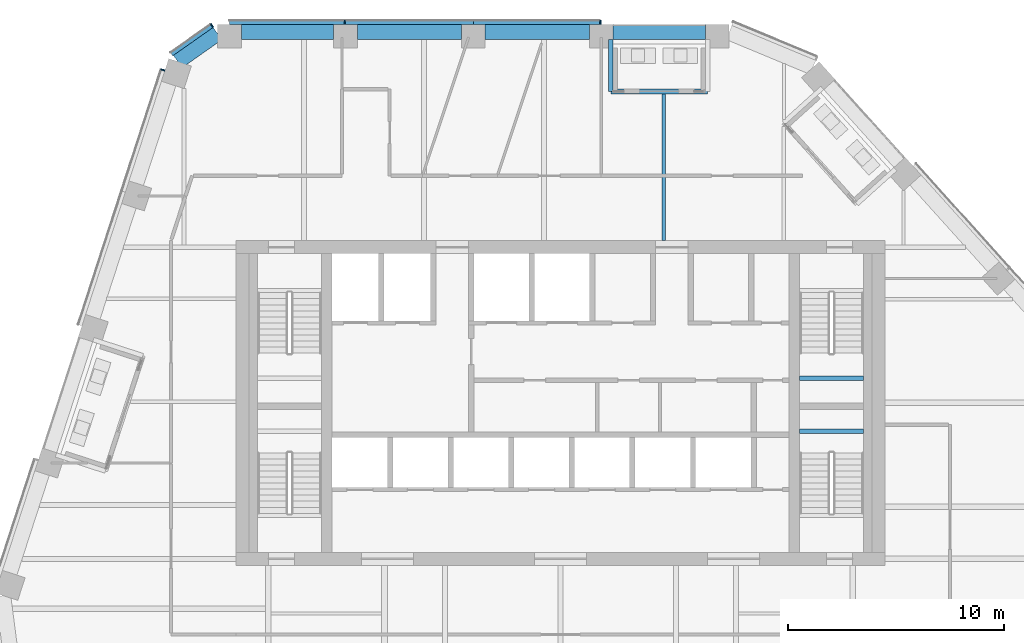
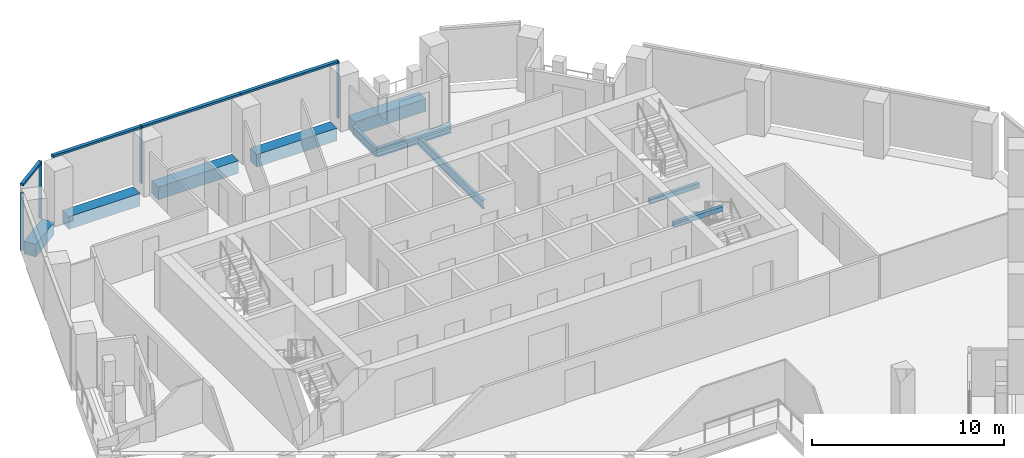
# One storey, part 7 of 24: 10 beams, 8 members, 3 elements without a shape of their own.
"""IFC4 building model written with IfcOpenShell, lengths in metres."""

from ifc_helpers import new_model, si_unit, direction, frame, origin, origin_2d, place, context, subcontext, project, spatial, rectangle, i_section, extrude, material, layer, layer_set, material_profile, profile_set, type_object, element, aggregate, save


model = new_model("IFC4")

# Units and contexts
model_context = context("Model", 3, precision=1e-05, world=origin(), true_north=direction((0.0, 1.0)))
body_context = subcontext(model_context, "Body", "Model", "MODEL_VIEW")
ifc_project = project(units=[si_unit("LENGTHUNIT", "METRE"), si_unit("AREAUNIT", "SQUARE_METRE"), si_unit("VOLUMEUNIT", "CUBIC_METRE"), si_unit("PLANEANGLEUNIT", "RADIAN"), si_unit("MASSUNIT", "GRAM", prefix="KILO")], contexts=[model_context])

# Site, building, storey
site_placement = place(None, origin())
site = spatial("IfcSite", under=ifc_project, at=site_placement, CompositionType="ELEMENT")
building_placement = place(site_placement, origin())
building = spatial("IfcBuilding", under=site, at=building_placement, Name="Isthmus Gate Tower", CompositionType="ELEMENT")
storey_placement = place(building_placement, frame((0.0, 0.0, 219.949951171875)))
storey = spatial("IfcBuildingStorey", under=building, at=storey_placement, Name="L55", CompositionType="ELEMENT", Elevation=219.949951171875)

# Curtain wall, members
ifc_material_1 = material(Name="Aluminium, pale champagne anodised", Category="aluminium")
ifc_layer = layer(ifc_material_1, 0.199951171875)
ifc_layer_set = layer_set([ifc_layer], Name="CW-1 UNITISED CURTAIN WALL 200 DEEP")
curtain_wall_type = type_object("IfcCurtainWallType", Name="CW-1 UNITISED CURTAIN WALL 200 DEEP", PredefinedType="NOTDEFINED", material=ifc_layer_set)
curtain_wall_1_placement = place(storey_placement, origin())
curtain_wall_1 = element("IfcCurtainWall", 1, at=curtain_wall_1_placement, inside=storey, type_object=curtain_wall_type, Name="CW-1 N L55", PredefinedType="NOTDEFINED")
ifc_material_2 = material(Name="Aluminium, pale champagne anodised", Category="aluminium")
ifc_material_profile_1 = material_profile(ifc_material_2, rectangle(XDim=0.06005859375, YDim=0.199951171875, at=origin_2d()), Name="60x200")
ifc_profile_set_1 = profile_set([ifc_material_profile_1], Name="Aluminium, pale champagne anodised")
member_type_1 = type_object("IfcMemberType", Name="CW-1 MULLION 60 X 200", PredefinedType="MULLION", material=ifc_profile_set_1)
member_1_placement = place(storey_placement, frame((1.8505859375, 25.10009765625, 0.0), z_axis=(0.0, 0.0, 1.0), x_axis=(-1.0, 0.0, 0.0)))
member_1 = element("IfcMember", 2, at=member_1_placement, type_object=member_type_1, Name="CW-1 mullion", PredefinedType="MULLION", context=body_context, shape_type="SweptSolid", body=[
    extrude(rectangle(XDim=0.06005859375, YDim=0.199951171875, at=origin_2d()), origin(), (0.0, 0.0, 1.0), 3.650146484375),
])
member_2_placement = place(storey_placement, frame((-9.970703125, 25.10009765625, 0.0), z_axis=(0.0, 0.0, 1.0), x_axis=(-1.0, 0.0, 0.0)))
member_2 = element("IfcMember", 3, at=member_2_placement, type_object=member_type_1, Name="CW-1 mullion", PredefinedType="MULLION", context=body_context, shape_type="SweptSolid", body=[
    extrude(rectangle(XDim=0.06005859375, YDim=0.199951171875, at=origin_2d()), origin(), (0.0, 0.0, 1.0), 3.650146484375),
])

# Curtain wall, member
curtain_wall_2_placement = place(storey_placement, origin())
curtain_wall_2 = element("IfcCurtainWall", 4, at=curtain_wall_2_placement, inside=storey, type_object=curtain_wall_type, Name="CW-1 N-NW L55", PredefinedType="NOTDEFINED")
member_3_placement = place(storey_placement, frame((-16.10595703125, 24.943115234375, 0.0), z_axis=(0.0, 0.0, 1.0), x_axis=(-0.81785959165, -0.57541783805, 0.0)))
member_3 = element("IfcMember", 5, at=member_3_placement, type_object=member_type_1, Name="CW-1 mullion", PredefinedType="MULLION", context=body_context, shape_type="SweptSolid", body=[
    extrude(rectangle(XDim=0.06005859375, YDim=0.199951171875, at=origin_2d()), origin(), (0.0, 0.0, 1.0), 3.650146484375),
])

curtain_wall_3_placement = place(storey_placement, origin())
curtain_wall_3 = element("IfcCurtainWall", 6, at=curtain_wall_3_placement, inside=storey, type_object=curtain_wall_type, Name="CW-1 NW L55", PredefinedType="NOTDEFINED")
member_4_placement = place(storey_placement, frame((-18.37841796875, 22.894287109375, 0.0), z_axis=(0.0, 0.0, 1.0), x_axis=(-0.309016994375, -0.951056516295, 0.0)))
member_4 = element("IfcMember", 7, at=member_4_placement, type_object=member_type_1, Name="CW-1 mullion", PredefinedType="MULLION", context=body_context, shape_type="SweptSolid", body=[
    extrude(rectangle(XDim=0.06005859375, YDim=0.199951171875, at=origin_2d()), origin(), (0.0, 0.0, 1.0), 3.650146484375),
])
aggregate(curtain_wall_3, [member_4])

# Member
ifc_material_3 = material(Name="Aluminium, pale champagne anodised", Category="aluminium")
ifc_material_profile_2 = material_profile(ifc_material_3, rectangle(XDim=0.199951171875, YDim=0.1298828125, at=origin_2d()), Name="200x130")
ifc_profile_set_2 = profile_set([ifc_material_profile_2], Name="Aluminium, pale champagne anodised")
member_type_2 = type_object("IfcMemberType", Name="CW-1 TRANSOM 200 X 130", PredefinedType="USERDEFINED", material=ifc_profile_set_2)
member_5_placement = place(storey_placement, frame((1.820556640625, 25.10009765625, 3.5849609375), z_axis=(-1.0, 0.0, 0.0), x_axis=(0.0, -1.0, 0.0)))
member_5 = element("IfcMember", 8, at=member_5_placement, type_object=member_type_2, Name="CW-1 transom", ObjectType="TRANSOM", PredefinedType="USERDEFINED", context=body_context, shape_type="SweptSolid", body=[
    extrude(rectangle(XDim=0.199951171875, YDim=0.1298828125, at=origin_2d()), origin(), (0.0, 0.0, 1.0), 5.8505859375),
])

member_6_placement = place(storey_placement, frame((-4.030029296875, 25.10009765625, 3.5849609375), z_axis=(-1.0, 0.0, 0.0), x_axis=(0.0, -1.0, 0.0)))
member_6 = element("IfcMember", 9, at=member_6_placement, type_object=member_type_2, Name="CW-1 transom", ObjectType="TRANSOM", PredefinedType="USERDEFINED", context=body_context, shape_type="SweptSolid", body=[
    extrude(rectangle(XDim=0.199951171875, YDim=0.1298828125, at=origin_2d()), origin(), (0.0, 0.0, 1.0), 5.91064453125),
])

member_7_placement = place(storey_placement, frame((-10.000732421875, 25.10009765625, 3.5849609375), z_axis=(-1.0, 0.0, 0.0), x_axis=(0.0, -1.0, 0.0)))
member_7 = element("IfcMember", 10, at=member_7_placement, type_object=member_type_2, Name="CW-1 transom", ObjectType="TRANSOM", PredefinedType="USERDEFINED", context=body_context, shape_type="SweptSolid", body=[
    extrude(rectangle(XDim=0.199951171875, YDim=0.1298828125, at=origin_2d()), origin(), (0.0, 0.0, 1.0), 5.300537109375),
])

aggregate(curtain_wall_1, [member_1, member_5, member_6, member_2, member_7])

member_8_placement = place(storey_placement, frame((-16.130615234375, 24.92578125, 3.5849609375), z_axis=(-0.817868595604, -0.575405040233, 0.0), x_axis=(0.575405040233, -0.817868595604, 0.0)))
member_8 = element("IfcMember", 11, at=member_8_placement, type_object=member_type_2, Name="CW-1 transom", ObjectType="TRANSOM", PredefinedType="USERDEFINED", context=body_context, shape_type="SweptSolid", body=[
    extrude(rectangle(XDim=0.199951171875, YDim=0.1298828125, at=origin_2d()), origin(), (0.0, 0.0, 1.0), 2.258544921875),
])

aggregate(curtain_wall_2, [member_3, member_8])

# Beams
ifc_material_4 = material(Name="Concrete f'c 50 MPa", Category="concrete")
ifc_material_profile_3 = material_profile(ifc_material_4, rectangle(XDim=0.699951171875, YDim=0.800048828125, at=origin_2d()), Name="RC 700X800")
ifc_profile_set_3 = profile_set([ifc_material_profile_3], Name="Concrete f'c 50 MPa")
beam_type_1 = type_object("IfcBeamType", Name="RC SPANDREL 700 X 800", PredefinedType="SPANDREL", material=ifc_profile_set_3)
beam_1_placement = place(storey_placement, frame((-17.68798828125, 23.27978515625, -0.39990234375), z_axis=(0.817855686701, 0.575423388237, 0.0), x_axis=(-0.575423388237, 0.817855686701, 0.0)))
element("IfcBeam", 12, at=beam_1_placement, inside=storey, type_object=beam_type_1, Name="str-spandrel-L55-25", PredefinedType="SPANDREL", context=body_context, shape_type="SweptSolid", body=[
    extrude(rectangle(XDim=0.699951171875, YDim=0.800048828125, at=origin_2d()), origin(), (0.0, 0.0, 1.0), 2.24560546875),
])
beam_2_placement = place(storey_placement, frame((-14.751220703125, 24.64990234375, -0.39990234375), z_axis=(1.0, 0.0, 0.0), x_axis=(0.0, 1.0, 0.0)))
element("IfcBeam", 13, at=beam_2_placement, inside=storey, type_object=beam_type_1, Name="str-spandrel-L55-26", PredefinedType="SPANDREL", context=body_context, shape_type="SweptSolid", body=[
    extrude(rectangle(XDim=0.699951171875, YDim=0.800048828125, at=origin_2d()), origin(), (0.0, 0.0, 1.0), 4.260498046875),
])
for number, where, z_axis, x_axis, name in (
    (14, (-9.390625, 24.64990234375, -0.39990234375), (1.0, 0.0, 0.0), (0.0, 1.0, 0.0), "str-spandrel-L55-27"),
    (15, (-3.47998046875, 24.64990234375, -0.39990234375), (1.0, 0.0, 0.0), (0.0, 1.0, 0.0), "str-spandrel-L55-28"),
):
    element("IfcBeam", number, at=place(storey_placement, frame(where, z_axis=z_axis, x_axis=x_axis)), inside=storey, type_object=beam_type_1, Name=name, PredefinedType="SPANDREL", context=body_context, shape_type="SweptSolid", body=[
        extrude(rectangle(XDim=0.699951171875, YDim=0.800048828125, at=origin_2d()), origin(), (0.0, 0.0, 1.0), 4.810546875),
    ])
beam_3_placement = place(storey_placement, frame((2.430419921875, 24.64990234375, -0.39990234375), z_axis=(1.0, 0.0, 0.0), x_axis=(0.0, 1.0, 0.0)))
element("IfcBeam", 16, at=beam_3_placement, inside=storey, type_object=beam_type_1, Name="str-spandrel-L55-29", PredefinedType="SPANDREL", context=body_context, shape_type="SweptSolid", body=[
    extrude(rectangle(XDim=0.699951171875, YDim=0.800048828125, at=origin_2d()), origin(), (0.0, 0.0, 1.0), 4.2607421875),
])
ifc_material_5 = material(Name="Concrete f'c 40 MPa", Category="concrete")
ifc_material_profile_4 = material_profile(ifc_material_5, rectangle(XDim=0.199951171875, YDim=0.300048828125, at=origin_2d()), Name="STAIR LANDING BEAM RC 200 X 300")
ifc_profile_set_4 = profile_set([ifc_material_profile_4], Name="Concrete f'c 40 MPa")
beam_type_2 = type_object("IfcBeamType", Name="STAIR LANDING BEAM RC 200 X 300", PredefinedType="BEAM", material=ifc_profile_set_4)
for number, where, z_axis, x_axis, name in (
    (17, (11.050048828125, 8.64990234375, 1.47509765625), (1.0, 0.0, 0.0), (0.0, 1.0, 0.0), "L55 ST2 landing beam 1"),
    (18, (11.050048828125, 6.199951171875, 1.47509765625), (1.0, 0.0, 0.0), (0.0, 1.0, 0.0), "L55 ST8 landing beam 1"),
):
    element("IfcBeam", number, at=place(storey_placement, frame(where, z_axis=z_axis, x_axis=x_axis)), inside=storey, type_object=beam_type_2, Name=name, PredefinedType="BEAM", context=body_context, shape_type="SweptSolid", body=[
        extrude(rectangle(XDim=0.199951171875, YDim=0.300048828125, at=origin_2d()), origin(), (0.0, 0.0, 1.0), 2.949951171875),
    ])
ifc_material_6 = material(Name="Structural steel ASTM A992 Gr 50", Category="steel")
ifc_material_profile_5 = material_profile(ifc_material_6, i_section(OverallWidth=0.1650390625, OverallDepth=0.52392578125, WebThickness=0.009521484375, FlangeThickness=0.010986328125, at=origin_2d()), Name="W21X44")
ifc_profile_set_5 = profile_set([ifc_material_profile_5], Name="Structural steel ASTM A992 Gr 50")
beam_type_3 = type_object("IfcBeamType", Name="STEEL FLOOR BEAM W21X44", PredefinedType="JOIST", material=ifc_profile_set_5)
beam_4_placement = place(storey_placement, frame((4.776611328125, 15.0, -0.411865234375), z_axis=(0.0, 1.0, 0.0), x_axis=(-1.0, 0.0, 0.0)))
element("IfcBeam", 19, at=beam_4_placement, inside=storey, type_object=beam_type_3, Name="str-beam-L55-07-04", PredefinedType="JOIST", context=body_context, shape_type="SweptSolid", body=[
    extrude(i_section(OverallWidth=0.1650390625, OverallDepth=0.52392578125, WebThickness=0.009521484375, FlangeThickness=0.010986328125, at=origin_2d()), origin(), (0.0, 0.0, 1.0), 6.79052734375),
])
ifc_material_7 = material(Name="Structural steel ASTM A992 Gr 50", Category="steel")
ifc_material_profile_6 = material_profile(ifc_material_7, i_section(OverallWidth=0.20947265625, OverallDepth=0.533447265625, WebThickness=0.009521484375, FlangeThickness=0.015869140625, at=origin_2d()), Name="W21X62")
ifc_profile_set_6 = profile_set([ifc_material_profile_6], Name="Structural steel ASTM A992 Gr 50")
beam_type_4 = type_object("IfcBeamType", Name="STEEL TRIMMER W21X62", PredefinedType="BEAM", material=ifc_profile_set_6)
beam_5_placement = place(storey_placement, frame((6.7958984375, 21.895263671875, -0.416748046875), z_axis=(-1.0, 0.0, 0.0), x_axis=(0.0, -1.0, 0.0)))
element("IfcBeam", 20, at=beam_5_placement, inside=storey, type_object=beam_type_4, Name="str-loggiatrim-L55-01-B", PredefinedType="BEAM", context=body_context, shape_type="SweptSolid", body=[
    extrude(i_section(OverallWidth=0.20947265625, OverallDepth=0.533447265625, WebThickness=0.009521484375, FlangeThickness=0.015869140625, at=origin_2d()), origin(), (0.0, 0.0, 1.0), 4.47021484375),
])
beam_6_placement = place(storey_placement, frame((2.32568359375, 24.300048828125, -0.416748046875), z_axis=(0.0, -1.0, 0.0), x_axis=(1.0, 0.0, 0.0)))
element("IfcBeam", 21, at=beam_6_placement, inside=storey, type_object=beam_type_4, Name="str-loggiatrim-L55-01-C", PredefinedType="BEAM", context=body_context, shape_type="SweptSolid", body=[
    extrude(i_section(OverallWidth=0.20947265625, OverallDepth=0.533447265625, WebThickness=0.009521484375, FlangeThickness=0.015869140625, at=origin_2d()), origin(), (0.0, 0.0, 1.0), 2.40478515625),
])

save(model, "model.ifc")
